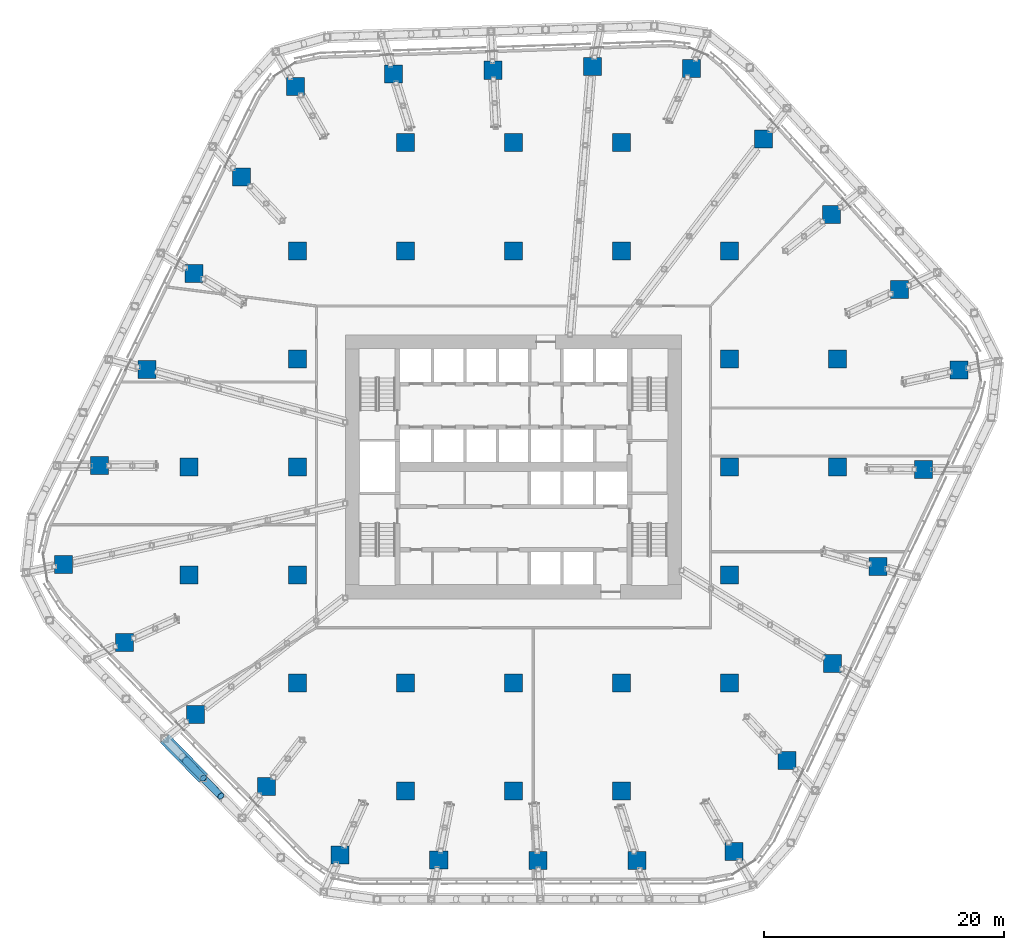
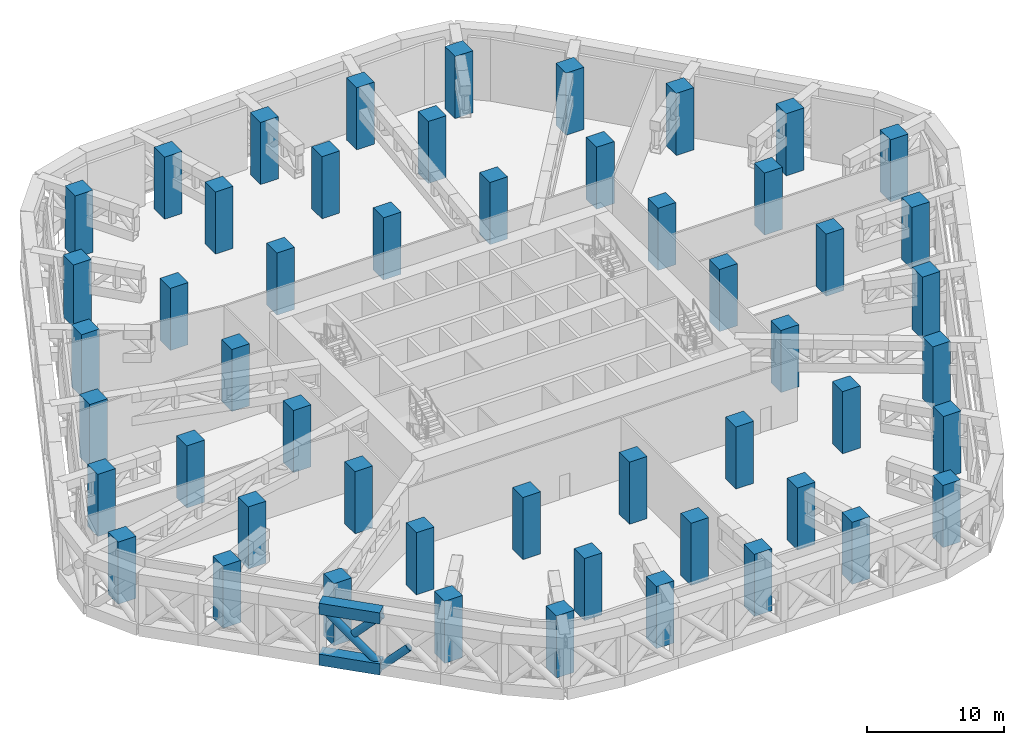
# One storey, part 1 of 38: 52 columns, 5 members.
"""IFC4 building model written with IfcOpenShell, lengths in metres."""

from ifc_helpers import new_model, si_unit, direction, frame, origin, origin_2d, place, context, subcontext, project, spatial, rectangle, hollow_rectangle, hollow_circle, extrude, material, material_profile, profile_set, type_object, element, save


model = new_model("IFC4")

# Units and contexts
model_context = context("Model", 3, precision=1e-05, world=origin(), true_north=direction((0.0, 1.0)))
body_context = subcontext(model_context, "Body", "Model", "MODEL_VIEW")
ifc_project = project(units=[si_unit("LENGTHUNIT", "METRE"), si_unit("AREAUNIT", "SQUARE_METRE"), si_unit("VOLUMEUNIT", "CUBIC_METRE"), si_unit("PLANEANGLEUNIT", "RADIAN"), si_unit("MASSUNIT", "GRAM", prefix="KILO")], contexts=[model_context])

# Site, building, storey
site_placement = place(None, origin())
site = spatial("IfcSite", under=ifc_project, at=site_placement, CompositionType="ELEMENT")
building_placement = place(site_placement, origin())
building = spatial("IfcBuilding", under=site, at=building_placement, Name="Dongbaek Canopy Tower", CompositionType="ELEMENT")
storey_placement = place(building_placement, frame((0.0, 0.0, 89.199951171875)))
storey = spatial("IfcBuildingStorey", under=building, at=storey_placement, Name="L18", CompositionType="ELEMENT", Elevation=89.199951171875)

# Columns
ifc_material_1 = material(Name="Concrete C80", Category="concrete")
ifc_material_profile_1 = material_profile(ifc_material_1, rectangle(XDim=1.5, YDim=1.5, at=origin_2d()), Name="RC COLUMN 1500x1500 C80")
ifc_profile_set_1 = profile_set([ifc_material_profile_1], Name="Concrete C80")
column_type = type_object("IfcColumnType", Name="RC COLUMN 1500x1500 C80", PredefinedType="COLUMN", material=ifc_profile_set_1)
for number, where, z_axis, x_axis, name in (
    (1, (18.367919921875, -32.04296875, 0.0), (0.0, 0.0, 1.0), (1.0, 0.0, 0.0), "COL:CZ1-01:L18"),
    (2, (10.277099609375, -32.7900390625, 0.0), (0.0, 0.0, 1.0), (1.0, 0.0, 0.0), "COL:CZ1-02:L18"),
    (3, (2.027099609375, -32.7529296875, 0.0), (0.0, 0.0, 1.0), (1.0, 0.0, 0.0), "COL:CZ1-03:L18"),
    (4, (-6.221923828125, -32.717041015625, 0.0), (0.0, 0.0, 1.0), (1.0, 0.0, 0.0), "COL:CZ1-04:L18"),
    (5, (-14.43408203125, -32.31298828125, 0.0), (0.0, 0.0, 1.0), (1.0, 0.0, 0.0), "COL:CZ1-05:L18"),
    (6, (-20.573974609375, -26.60205078125, 0.0), (0.0, 0.0, 1.0), (1.0, 0.0, 0.0), "COL:CZ1-06:L18"),
    (7, (-26.47802734375, -20.60791015625, 0.0), (0.0, 0.0, 1.0), (1.0, 0.0, 0.0), "COL:CZ1-07:L18"),
    (8, (-32.382080078125, -14.613037109375, 0.0), (0.0, 0.0, 1.0), (1.0, 0.0, 0.0), "COL:CZ1-08:L18"),
    (9, (-37.489013671875, -8.123046875, 0.0), (0.0, 0.0, 1.0), (1.0, 0.0, 0.0), "COL:CZ1-09:L18"),
    (10, (-34.462890625, 0.10302734375, 0.0), (0.0, 0.0, 1.0), (1.0, 0.0, 0.0), "COL:CZ1-10:L18"),
    (11, (-30.52490234375, 8.111083984375, 0.0), (0.0, 0.0, 1.0), (1.0, 0.0, 0.0), "COL:CZ1-11:L18"),
    (12, (-26.5859375, 16.117919921875, 0.0), (0.0, 0.0, 1.0), (1.0, 0.0, 0.0), "COL:CZ1-12:L18"),
    (13, (-22.64794921875, 24.125, 0.0), (0.0, 0.0, 1.0), (1.0, 0.0, 0.0), "COL:CZ1-13:L18"),
    (14, (-18.138916015625, 31.698974609375, 0.0), (0.0, 0.0, 1.0), (1.0, 0.0, 0.0), "COL:CZ1-14:L18"),
    (15, (-10.006103515625, 32.714111328125, 0.0), (0.0, 0.0, 1.0), (1.0, 0.0, 0.0), "COL:CZ1-15:L18"),
    (16, (-1.7080078125, 33.031982421875, 0.0), (0.0, 0.0, 1.0), (1.0, 0.0, 0.0), "COL:CZ1-16:L18"),
    (17, (6.589111328125, 33.34912109375, 0.0), (0.0, 0.0, 1.0), (1.0, 0.0, 0.0), "COL:CZ1-17:L18"),
    (18, (14.830078125, 33.194091796875, 0.0), (0.0, 0.0, 1.0), (1.0, 0.0, 0.0), "COL:CZ1-18:L18"),
    (19, (20.804931640625, 27.297119140625, 0.0), (0.0, 0.0, 1.0), (1.0, 0.0, 0.0), "COL:CZ1-19:L18"),
    (20, (26.48193359375, 21.029052734375, 0.0), (0.0, 0.0, 1.0), (1.0, 0.0, 0.0), "COL:CZ1-20:L18"),
    (21, (32.157958984375, 14.760986328125, 0.0), (0.0, 0.0, 1.0), (1.0, 0.0, 0.0), "COL:CZ1-21:L18"),
    (22, (37.097900390625, 8.06591796875, 0.0), (0.0, 0.0, 1.0), (1.0, 0.0, 0.0), "COL:CZ1-22:L18"),
    (23, (34.14306640625, -0.205078125, 0.0), (0.0, 0.0, 1.0), (1.0, 0.0, 0.0), "COL:CZ1-23:L18"),
    (24, (30.360107421875, -8.283935546875, 0.0), (0.0, 0.0, 1.0), (1.0, 0.0, 0.0), "COL:CZ1-24:L18"),
    (25, (26.575927734375, -16.364013671875, 0.0), (0.0, 0.0, 1.0), (1.0, 0.0, 0.0), "COL:CZ1-25:L18"),
    (26, (22.7919921875, -24.443115234375, 0.0), (0.0, 0.0, 1.0), (1.0, 0.0, 0.0), "COL:CZ1-26:L18"),
    (27, (-27.0, -9.0, 0.0), (0.0, 0.0, 1.0), (1.0, 0.0, 0.0), "COL:CIZ1-01:L18"),
    (28, (-27.0, 0.0, 0.0), (0.0, 0.0, 1.0), (1.0, 0.0, 0.0), "COL:CIZ1-02:L18"),
    (29, (-18.0, -18.0, 0.0), (0.0, 0.0, 1.0), (1.0, 0.0, 0.0), "COL:CIZ1-03:L18"),
    (30, (-18.0, -9.0, 0.0), (0.0, 0.0, 1.0), (1.0, 0.0, 0.0), "COL:CIZ1-04:L18"),
    (31, (-18.0, 0.0, 0.0), (0.0, 0.0, 1.0), (1.0, 0.0, 0.0), "COL:CIZ1-05:L18"),
    (32, (-18.0, 9.0, 0.0), (0.0, 0.0, 1.0), (1.0, 0.0, 0.0), "COL:CIZ1-06:L18"),
    (33, (-18.0, 18.0, 0.0), (0.0, 0.0, 1.0), (1.0, 0.0, 0.0), "COL:CIZ1-07:L18"),
    (34, (-9.0, -27.0, 0.0), (0.0, 0.0, 1.0), (1.0, 0.0, 0.0), "COL:CIZ1-08:L18"),
    (35, (-9.0, -18.0, 0.0), (0.0, 0.0, 1.0), (1.0, 0.0, 0.0), "COL:CIZ1-09:L18"),
    (36, (-9.0, 18.0, 0.0), (0.0, 0.0, 1.0), (1.0, 0.0, 0.0), "COL:CIZ1-10:L18"),
    (37, (-9.0, 27.0, 0.0), (0.0, 0.0, 1.0), (1.0, 0.0, 0.0), "COL:CIZ1-11:L18"),
    (38, (0.0, -27.0, 0.0), (0.0, 0.0, 1.0), (1.0, 0.0, 0.0), "COL:CIZ1-12:L18"),
    (39, (0.0, -18.0, 0.0), (0.0, 0.0, 1.0), (1.0, 0.0, 0.0), "COL:CIZ1-13:L18"),
    (40, (0.0, 18.0, 0.0), (0.0, 0.0, 1.0), (1.0, 0.0, 0.0), "COL:CIZ1-14:L18"),
    (41, (0.0, 27.0, 0.0), (0.0, 0.0, 1.0), (1.0, 0.0, 0.0), "COL:CIZ1-15:L18"),
    (42, (9.0, -27.0, 0.0), (0.0, 0.0, 1.0), (1.0, 0.0, 0.0), "COL:CIZ1-16:L18"),
    (43, (9.0, -18.0, 0.0), (0.0, 0.0, 1.0), (1.0, 0.0, 0.0), "COL:CIZ1-17:L18"),
    (44, (9.0, 18.0, 0.0), (0.0, 0.0, 1.0), (1.0, 0.0, 0.0), "COL:CIZ1-18:L18"),
    (45, (9.0, 27.0, 0.0), (0.0, 0.0, 1.0), (1.0, 0.0, 0.0), "COL:CIZ1-19:L18"),
    (46, (18.0, -18.0, 0.0), (0.0, 0.0, 1.0), (1.0, 0.0, 0.0), "COL:CIZ1-20:L18"),
    (47, (18.0, -9.0, 0.0), (0.0, 0.0, 1.0), (1.0, 0.0, 0.0), "COL:CIZ1-21:L18"),
    (48, (18.0, 0.0, 0.0), (0.0, 0.0, 1.0), (1.0, 0.0, 0.0), "COL:CIZ1-22:L18"),
    (49, (18.0, 9.0, 0.0), (0.0, 0.0, 1.0), (1.0, 0.0, 0.0), "COL:CIZ1-23:L18"),
    (50, (18.0, 18.0, 0.0), (0.0, 0.0, 1.0), (1.0, 0.0, 0.0), "COL:CIZ1-24:L18"),
    (51, (27.0, 0.0, 0.0), (0.0, 0.0, 1.0), (1.0, 0.0, 0.0), "COL:CIZ1-25:L18"),
    (52, (27.0, 9.0, 0.0), (0.0, 0.0, 1.0), (1.0, 0.0, 0.0), "COL:CIZ1-26:L18"),
):
    element("IfcColumn", number, at=place(storey_placement, frame(where, z_axis=z_axis, x_axis=x_axis)), inside=storey, type_object=column_type, Name=name, PredefinedType="COLUMN", context=body_context, shape_type="SweptSolid", body=[
        extrude(rectangle(XDim=1.5, YDim=1.5, at=origin_2d()), origin(), (0.0, 0.0, 1.0), 5.550048828125),
    ])

# Members
ifc_material_2 = material(Name="Steel S355", Category="steel")
ifc_material_profile_2 = material_profile(ifc_material_2, hollow_circle(Radius=0.304931640625, WallThickness=0.01611328125, at=origin_2d()), Name="BELT BRACE CHS 610.0x16.0 Steel S355")
ifc_profile_set_2 = profile_set([ifc_material_profile_2], Name="Steel S355")
member_type_1 = type_object("IfcMemberType", Name="BELT BRACE CHS 610.0x16.0 Steel S355", PredefinedType="BRACE", material=ifc_profile_set_2)
member_1_placement = place(storey_placement, frame((-25.82666015625, -25.91748046875, 0.5), z_axis=(0.497372671583, -0.510008581007, 0.701791758901), x_axis=(0.715919933224, 0.698182389646, 0.0)))
element("IfcMember", 53, at=member_1_placement, inside=storey, type_object=member_type_1, Name="BELT:L18:5:D0:1", PredefinedType="BRACE", context=body_context, shape_type="SweptSolid", body=[
    extrude(hollow_circle(Radius=0.304931640625, WallThickness=0.01611328125, at=origin_2d()), origin(), (0.0, 0.0, 1.0), 2.936767578125),
])
member_2_placement = place(storey_placement, frame((-25.82666015625, -25.91748046875, 0.5), z_axis=(-0.497361298726, 0.510013736368, 0.701796072407), x_axis=(-0.715931440594, -0.698170589734, 0.0)))
element("IfcMember", 54, at=member_2_placement, inside=storey, type_object=member_type_1, Name="BELT:L18:5:D1:0", PredefinedType="BRACE", context=body_context, shape_type="SweptSolid", body=[
    extrude(hollow_circle(Radius=0.304931640625, WallThickness=0.01611328125, at=origin_2d()), origin(), (0.0, 0.0, 1.0), 6.4833984375),
])
member_3_placement = place(storey_placement, frame((-25.82666015625, -25.91748046875, 5.050048828125), z_axis=(-0.497339118236, 0.510059426676, -0.701778585261), x_axis=(-0.715978264303, -0.698122571648, 0.0)))
element("IfcMember", 55, at=member_3_placement, inside=storey, type_object=member_type_1, Name="BELT:L18:5:D1:2", PredefinedType="BRACE", context=body_context, shape_type="SweptSolid", body=[
    extrude(hollow_circle(Radius=0.304931640625, WallThickness=0.01611328125, at=origin_2d()), origin(), (0.0, 0.0, 1.0), 2.9365234375),
])
ifc_material_3 = material(Name="Steel S355", Category="steel")
ifc_material_profile_3 = material_profile(ifc_material_3, hollow_rectangle(XDim=1.0, YDim=1.0, WallThickness=0.050048828125, at=origin_2d()), Name="BELT CHORD BOX 1000x1000x50 Steel S355")
ifc_profile_set_3 = profile_set([ifc_material_profile_3], Name="Steel S355")
member_type_2 = type_object("IfcMemberType", Name="BELT CHORD BOX 1000x1000x50 Steel S355", PredefinedType="CHORD", material=ifc_profile_set_3)
for number, where, z_axis, x_axis, name in (
    (56, (-25.82666015625, -25.91748046875, 0.5), (-0.698170589734, 0.715931440594, 0.0), (-0.715931440594, -0.698170589734, 0.0), "BELT:L18:5:CB1"),
    (57, (-25.82666015625, -25.91748046875, 5.050048828125), (-0.698170589734, 0.715931440594, 0.0), (-0.715931440594, -0.698170589734, 0.0), "BELT:L18:5:CT1"),
):
    element("IfcMember", number, at=place(storey_placement, frame(where, z_axis=z_axis, x_axis=x_axis)), inside=storey, type_object=member_type_2, Name=name, PredefinedType="CHORD", context=body_context, shape_type="SweptSolid", body=[
        extrude(hollow_rectangle(XDim=1.0, YDim=1.0, WallThickness=0.050048828125, at=origin_2d()), origin(), (0.0, 0.0, 1.0), 4.61865234375),
    ])

save(model, "model.ifc")
